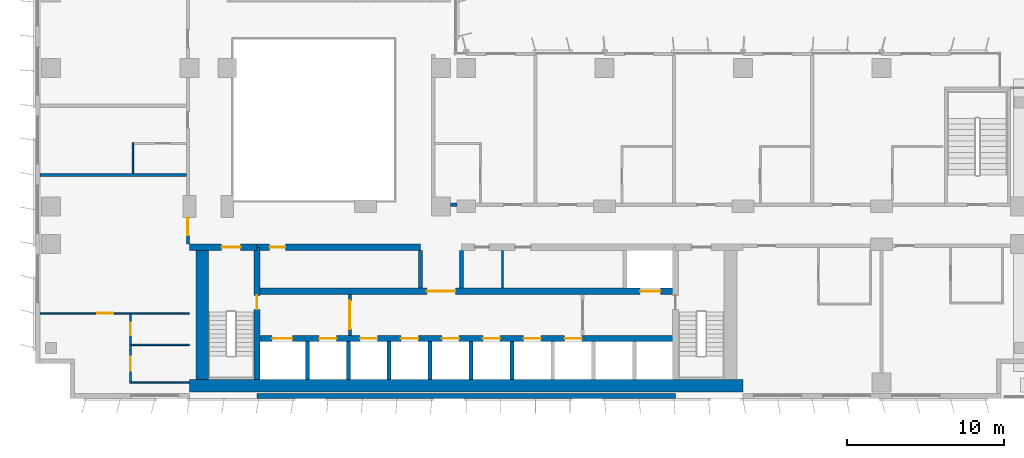
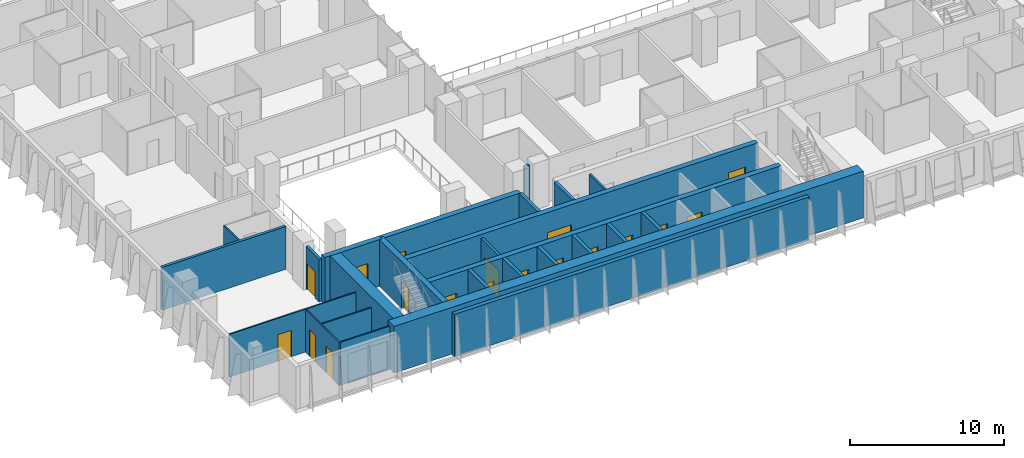
# One storey, part 14 of 27: 26 walls, 18 doors, 18 openings.
"""IFC4 building model written with IfcOpenShell, lengths in metres."""

from ifc_helpers import new_model, si_unit, direction, frame, frame_2d, origin, place, context, subcontext, project, spatial, rectangle, extrude, material, layer, layer_set, type_object, element, fill, save


model = new_model("IFC4")

# Units and contexts
model_context = context("Model", 3, precision=1e-05, world=origin(), true_north=direction((0.0, 1.0)))
body_context = subcontext(model_context, "Body", "Model", "MODEL_VIEW")
ifc_project = project(units=[si_unit("LENGTHUNIT", "METRE"), si_unit("AREAUNIT", "SQUARE_METRE"), si_unit("VOLUMEUNIT", "CUBIC_METRE"), si_unit("PLANEANGLEUNIT", "RADIAN"), si_unit("MASSUNIT", "GRAM", prefix="KILO")], contexts=[model_context])

# Site, building, storey
site_placement = place(None, origin())
site = spatial("IfcSite", under=ifc_project, at=site_placement, CompositionType="ELEMENT")
building_placement = place(site_placement, origin())
building = spatial("IfcBuilding", under=site, at=building_placement, Name="Kemantara Hotel Tower", CompositionType="ELEMENT")
storey_placement = place(building_placement, frame((0.0, 0.0, 83.39990234375)))
storey = spatial("IfcBuildingStorey", under=building, at=storey_placement, Name="L19", CompositionType="ELEMENT", Elevation=83.39990234375)

# Walls
ifc_material_1 = material(Name="Bronze anodised aluminium cladding on insulated steel stud wall", Category="steel")
ifc_layer_1 = layer(ifc_material_1, 0.300048828125)
ifc_layer_set_1 = layer_set([ifc_layer_1], Name="Bronze anodised aluminium cladding on insulated steel stud wall")
wall_type_1 = type_object("IfcWallType", Name="BRONZE METAL-CLAD EXTERNAL WALL 300", PredefinedType="STANDARD", material=ifc_layer_set_1)
wall_1_placement = place(storey_placement, frame((14.10009765625, 0.14990234375, 0.0), z_axis=(0.0, 0.0, 1.0), x_axis=(1.0, 0.0, 0.0)))
element("IfcWall", 1, at=wall_1_placement, inside=storey, type_object=wall_type_1, Name="EXTERNAL WALL L19 T2-R07-2", PredefinedType="STANDARD", context=body_context, shape_type="SweptSolid", body=[
    extrude(rectangle(XDim=26.599853515625, YDim=0.300048828125, at=frame_2d((13.2998046875, 0.0))), origin(), (0.0, 0.0, 1.0), 3.400146484375),
])
ifc_material_2 = material(Name="Concrete fc 70 MPa", Category="concrete")
ifc_layer_2 = layer(ifc_material_2, 0.25)
ifc_layer_set_2 = layer_set([ifc_layer_2], Name="Concrete fc 70 MPa")
wall_type_2 = type_object("IfcWallType", Name="CORE WALL 250 FC70", PredefinedType="SHEAR", material=ifc_layer_set_2)
for number, where, z_axis, x_axis, name in (
    (2, (17.300048828125, 1.199951171875, 0.0), (0.0, 0.0, 1.0), (0.0, 1.0, 0.0), "CORE WALL CW-DS17.3"),
    (3, (19.89990234375, 1.199951171875, 0.0), (0.0, 0.0, 1.0), (0.0, 1.0, 0.0), "CORE WALL CW-DS19.9"),
    (4, (22.5, 1.199951171875, 0.0), (0.0, 0.0, 1.0), (0.0, 1.0, 0.0), "CORE WALL CW-DS22.5"),
    (5, (25.10009765625, 1.199951171875, 0.0), (0.0, 0.0, 1.0), (0.0, 1.0, 0.0), "CORE WALL CW-DS25.1"),
    (6, (27.699951171875, 1.199951171875, 0.0), (0.0, 0.0, 1.0), (0.0, 1.0, 0.0), "CORE WALL CW-DS27.7"),
    (7, (30.300048828125, 1.199951171875, 0.0), (0.0, 0.0, 1.0), (0.0, 1.0, 0.0), "CORE WALL CW-DS30.3"),
):
    element("IfcWall", number, at=place(storey_placement, frame(where, z_axis=z_axis, x_axis=x_axis)), inside=storey, type_object=wall_type_2, Name=name, PredefinedType="SHEAR", context=body_context, shape_type="SweptSolid", body=[
        extrude(rectangle(XDim=2.400146484375, YDim=0.25, at=frame_2d((1.2001953125, 0.0))), origin(), (0.0, 0.0, 1.0), 3.7001953125),
    ])
for number, where, z_axis, x_axis, name in (
    (8, (24.5, 7.0, 0.0), (0.0, 0.0, 1.0), (0.0, 1.0, 0.0), "CORE WALL CW-DN24.5"),
    (9, (27.10009765625, 7.0, 0.0), (0.0, 0.0, 1.0), (0.0, 1.0, 0.0), "CORE WALL CW-DN27.1"),
):
    element("IfcWall", number, at=place(storey_placement, frame(where, z_axis=z_axis, x_axis=x_axis)), inside=storey, type_object=wall_type_2, Name=name, PredefinedType="SHEAR", context=body_context, shape_type="SweptSolid", body=[
        extrude(rectangle(XDim=2.39990234375, YDim=0.25, at=frame_2d((1.199951171875, 0.0))), origin(), (0.0, 0.0, 1.0), 3.7001953125),
    ])

# Wall, opening, door
ifc_layer_3 = layer(ifc_material_2, 0.39990234375)
ifc_layer_set_3 = layer_set([ifc_layer_3], Name="Concrete fc 70 MPa")
wall_type_3 = type_object("IfcWallType", Name="CORE WALL 400 FC70", PredefinedType="SHEAR", material=ifc_layer_set_3)
wall_2_placement = place(storey_placement, frame((9.800048828125, 9.60009765625, 0.0), z_axis=(0.0, 0.0, 1.0), x_axis=(1.0, 0.0, 0.0)))
wall_2 = element("IfcWall", 10, at=wall_2_placement, inside=storey, type_object=wall_type_3, Name="CORE WALL CW-N1", PredefinedType="SHEAR", context=body_context, shape_type="SweptSolid", body=[
    extrude(rectangle(XDim=4.300048828125, YDim=0.39990234375, at=frame_2d((2.14990234375, 0.0))), origin(), (0.0, 0.0, 1.0), 3.7001953125),
])
opening_1_placement = place(wall_2_placement, frame((2.050048828125, 0.0, 0.0)))
opening_1 = element("IfcOpeningElement", 11, at=opening_1_placement, cuts=wall_2, Name="Opening C14-ST1-C", PredefinedType="OPENING", context=body_context, shape_type="SweptSolid", body=[
    extrude(rectangle(XDim=1.199951171875, YDim=2.10009765625, at=frame_2d((0.60009765625, 1.050048828125))), frame((0.0, 0.2099609375, 0.0), z_axis=(0.0, -1.0, 0.0), x_axis=(1.0, 0.0, 0.0)), (0.0, 0.0, 1.0), 0.419921875),
])
ifc_material_3 = material(Name="Steel fire door", Category="steel")
door_type_1 = type_object("IfcDoorType", Name="Fire door FD90 1200 x 2100", OperationType="NOTDEFINED", PredefinedType="DOOR", material=ifc_material_3)
door_1_placement = place(opening_1_placement, frame((1.199951171875, 0.0, 0.0), z_axis=(0.0, 0.0, 1.0), x_axis=(-1.0, 0.0, 0.0)))
door_1 = element("IfcDoor", 12, at=door_1_placement, inside=storey, type_object=door_type_1, Name="Stair ST1 door to corridor", OperationType="SINGLE_SWING_LEFT", OverallHeight=2.10009765625, OverallWidth=1.199951171875, PredefinedType="DOOR", context=body_context, shape_type="SweptSolid", body=[
    extrude(rectangle(XDim=1.199951171875, YDim=2.10009765625, at=frame_2d((0.60009765625, 1.050048828125))), frame((0.0, 0.02490234375, 0.0), z_axis=(0.0, -1.0, 0.0), x_axis=(1.0, 0.0, 0.0)), (0.0, 0.0, 1.0), 0.050048828125),
])
fill(opening_1, door_1)

wall_3_placement = place(storey_placement, frame((14.10009765625, 9.60009765625, 0.0), z_axis=(0.0, 0.0, 1.0), x_axis=(1.0, 0.0, 0.0)))
wall_3 = element("IfcWall", 13, at=wall_3_placement, inside=storey, type_object=wall_type_3, Name="CORE WALL CW-NN1", PredefinedType="SHEAR", context=body_context, shape_type="SweptSolid", body=[
    extrude(rectangle(XDim=10.39990234375, YDim=0.39990234375, at=frame_2d((5.199951171875, 0.0))), origin(), (0.0, 0.0, 1.0), 3.7001953125),
])
opening_2_placement = place(wall_3_placement, frame((0.800048828125, 0.0, 0.0)))
opening_2 = element("IfcOpeningElement", 14, at=opening_2_placement, cuts=wall_3, Name="Opening C14-R-NW1", PredefinedType="OPENING", context=body_context, shape_type="SweptSolid", body=[
    extrude(rectangle(XDim=1.0, YDim=2.10009765625, at=frame_2d((0.5, 1.050048828125))), frame((0.0, 0.2099609375, 0.0), z_axis=(0.0, -1.0, 0.0), x_axis=(1.0, 0.0, 0.0)), (0.0, 0.0, 1.0), 0.419921875),
])
door_type_2 = type_object("IfcDoorType", Name="Fire door FD30S 1000 x 2100", OperationType="NOTDEFINED", PredefinedType="DOOR", material=ifc_material_3)
door_2_placement = place(opening_2_placement, frame((1.0, 0.0, 0.0), z_axis=(0.0, 0.0, 1.0), x_axis=(-1.0, 0.0, 0.0)))
door_2 = element("IfcDoor", 15, at=door_2_placement, inside=storey, type_object=door_type_2, Name="Linen Store door", OperationType="SINGLE_SWING_RIGHT", OverallHeight=2.10009765625, OverallWidth=1.0, PredefinedType="DOOR", context=body_context, shape_type="SweptSolid", body=[
    extrude(rectangle(XDim=1.0, YDim=2.10009765625, at=frame_2d((0.5, 1.050048828125))), frame((0.0, 0.02490234375, 0.0), z_axis=(0.0, -1.0, 0.0), x_axis=(1.0, 0.0, 0.0)), (0.0, 0.0, 1.0), 0.050048828125),
])
fill(opening_2, door_2)

# Wall, openings, doors
wall_4_placement = place(storey_placement, frame((14.10009765625, 3.800048828125, 0.0), z_axis=(0.0, 0.0, 1.0), x_axis=(1.0, 0.0, 0.0)))
wall_4 = element("IfcWall", 16, at=wall_4_placement, inside=storey, type_object=wall_type_3, Name="CORE WALL CW-L1", PredefinedType="SHEAR", context=body_context, shape_type="SweptSolid", body=[
    extrude(rectangle(XDim=26.599853515625, YDim=0.39990234375, at=frame_2d((13.2998046875, 0.0))), origin(), (0.0, 0.0, 1.0), 3.7001953125),
])
opening_3_placement = place(wall_4_placement, frame((0.949951171875, 0.0, 0.0)))
opening_3 = element("IfcOpeningElement", 17, at=opening_3_placement, cuts=wall_4, Name="Opening C14-LD-FF1", PredefinedType="OPENING", context=body_context, shape_type="SweptSolid", body=[
    extrude(rectangle(XDim=1.300048828125, YDim=2.10009765625, at=frame_2d((0.64990234375, 1.050048828125))), frame((0.0, 0.2099609375, 0.0), z_axis=(0.0, -1.0, 0.0), x_axis=(1.0, 0.0, 0.0)), (0.0, 0.0, 1.0), 0.419921875),
])
opening_4_placement = place(wall_4_placement, frame((3.949951171875, 0.0, 0.0)))
opening_4 = element("IfcOpeningElement", 18, at=opening_4_placement, cuts=wall_4, Name="Opening C14-LD-SV1", PredefinedType="OPENING", context=body_context, shape_type="SweptSolid", body=[
    extrude(rectangle(XDim=1.10009765625, YDim=2.10009765625, at=frame_2d((0.550048828125, 1.050048828125))), frame((0.0, 0.2099609375, 0.0), z_axis=(0.0, -1.0, 0.0), x_axis=(1.0, 0.0, 0.0)), (0.0, 0.0, 1.0), 0.419921875),
])
opening_5_placement = place(wall_4_placement, frame((6.550048828125, 0.0, 0.0)))
opening_5 = element("IfcOpeningElement", 19, at=opening_5_placement, cuts=wall_4, Name="Opening C14-LD-SV2", PredefinedType="OPENING", context=body_context, shape_type="SweptSolid", body=[
    extrude(rectangle(XDim=1.10009765625, YDim=2.10009765625, at=frame_2d((0.550048828125, 1.050048828125))), frame((0.0, 0.2099609375, 0.0), z_axis=(0.0, -1.0, 0.0), x_axis=(1.0, 0.0, 0.0)), (0.0, 0.0, 1.0), 0.419921875),
])
opening_6_placement = place(wall_4_placement, frame((9.14990234375, 0.0, 0.0)))
opening_6 = element("IfcOpeningElement", 20, at=opening_6_placement, cuts=wall_4, Name="Opening C14-LD-SV3", PredefinedType="OPENING", context=body_context, shape_type="SweptSolid", body=[
    extrude(rectangle(XDim=1.10009765625, YDim=2.10009765625, at=frame_2d((0.550048828125, 1.050048828125))), frame((0.0, 0.2099609375, 0.0), z_axis=(0.0, -1.0, 0.0), x_axis=(1.0, 0.0, 0.0)), (0.0, 0.0, 1.0), 0.419921875),
])
opening_7_placement = place(wall_4_placement, frame((11.75, 0.0, 0.0)))
opening_7 = element("IfcOpeningElement", 21, at=opening_7_placement, cuts=wall_4, Name="Opening C14-LD-LR1", PredefinedType="OPENING", context=body_context, shape_type="SweptSolid", body=[
    extrude(rectangle(XDim=1.10009765625, YDim=2.10009765625, at=frame_2d((0.550048828125, 1.050048828125))), frame((0.0, 0.2099609375, 0.0), z_axis=(0.0, -1.0, 0.0), x_axis=(1.0, 0.0, 0.0)), (0.0, 0.0, 1.0), 0.419921875),
])
opening_8_placement = place(wall_4_placement, frame((14.35009765625, 0.0, 0.0)))
opening_8 = element("IfcOpeningElement", 22, at=opening_8_placement, cuts=wall_4, Name="Opening C14-LD-LR2", PredefinedType="OPENING", context=body_context, shape_type="SweptSolid", body=[
    extrude(rectangle(XDim=1.10009765625, YDim=2.10009765625, at=frame_2d((0.550048828125, 1.050048828125))), frame((0.0, 0.2099609375, 0.0), z_axis=(0.0, -1.0, 0.0), x_axis=(1.0, 0.0, 0.0)), (0.0, 0.0, 1.0), 0.419921875),
])
opening_9_placement = place(wall_4_placement, frame((16.949951171875, 0.0, 0.0)))
opening_9 = element("IfcOpeningElement", 23, at=opening_9_placement, cuts=wall_4, Name="Opening C14-LD-LR3", PredefinedType="OPENING", context=body_context, shape_type="SweptSolid", body=[
    extrude(rectangle(XDim=1.10009765625, YDim=2.10009765625, at=frame_2d((0.550048828125, 1.050048828125))), frame((0.0, 0.2099609375, 0.0), z_axis=(0.0, -1.0, 0.0), x_axis=(1.0, 0.0, 0.0)), (0.0, 0.0, 1.0), 0.419921875),
])
opening_10_placement = place(wall_4_placement, frame((19.550048828125, 0.0, 0.0)))
opening_10 = element("IfcOpeningElement", 24, at=opening_10_placement, cuts=wall_4, Name="Opening C14-LD-LR4", PredefinedType="OPENING", context=body_context, shape_type="SweptSolid", body=[
    extrude(rectangle(XDim=1.10009765625, YDim=2.10009765625, at=frame_2d((0.550048828125, 1.050048828125))), frame((0.0, 0.2099609375, 0.0), z_axis=(0.0, -1.0, 0.0), x_axis=(1.0, 0.0, 0.0)), (0.0, 0.0, 1.0), 0.419921875),
])
ifc_material_4 = material(Name="Stainless steel lift door", Category="steel")
door_type_3 = type_object("IfcDoorType", Name="Lift landing door 1100 x 2100 FD60", OperationType="DOUBLE_DOOR_SLIDING", PredefinedType="DOOR", material=ifc_material_4)
door_3_placement = place(opening_4_placement, origin())
door_3 = element("IfcDoor", 25, at=door_3_placement, inside=storey, type_object=door_type_3, Name="Lift SV1 landing door", OperationType="DOUBLE_DOOR_SLIDING", OverallHeight=2.10009765625, OverallWidth=1.10009765625, PredefinedType="DOOR", context=body_context, shape_type="SweptSolid", body=[
    extrude(rectangle(XDim=1.10009765625, YDim=2.10009765625, at=frame_2d((0.550048828125, 1.050048828125))), frame((0.0, 0.02490234375, 0.0), z_axis=(0.0, -1.0, 0.0), x_axis=(1.0, 0.0, 0.0)), (0.0, 0.0, 1.0), 0.050048828125),
])
fill(opening_4, door_3)
door_4_placement = place(opening_5_placement, origin())
door_4 = element("IfcDoor", 26, at=door_4_placement, inside=storey, type_object=door_type_3, Name="Lift SV2 landing door", OperationType="DOUBLE_DOOR_SLIDING", OverallHeight=2.10009765625, OverallWidth=1.10009765625, PredefinedType="DOOR", context=body_context, shape_type="SweptSolid", body=[
    extrude(rectangle(XDim=1.10009765625, YDim=2.10009765625, at=frame_2d((0.550048828125, 1.050048828125))), frame((0.0, 0.02490234375, 0.0), z_axis=(0.0, -1.0, 0.0), x_axis=(1.0, 0.0, 0.0)), (0.0, 0.0, 1.0), 0.050048828125),
])
fill(opening_5, door_4)
door_5_placement = place(opening_6_placement, origin())
door_5 = element("IfcDoor", 27, at=door_5_placement, inside=storey, type_object=door_type_3, Name="Lift SV3 landing door", OperationType="DOUBLE_DOOR_SLIDING", OverallHeight=2.10009765625, OverallWidth=1.10009765625, PredefinedType="DOOR", context=body_context, shape_type="SweptSolid", body=[
    extrude(rectangle(XDim=1.10009765625, YDim=2.10009765625, at=frame_2d((0.550048828125, 1.050048828125))), frame((0.0, 0.02490234375, 0.0), z_axis=(0.0, -1.0, 0.0), x_axis=(1.0, 0.0, 0.0)), (0.0, 0.0, 1.0), 0.050048828125),
])
fill(opening_6, door_5)
door_6_placement = place(opening_7_placement, origin())
door_6 = element("IfcDoor", 28, at=door_6_placement, inside=storey, type_object=door_type_3, Name="Lift LR1 landing door", OperationType="DOUBLE_DOOR_SLIDING", OverallHeight=2.10009765625, OverallWidth=1.10009765625, PredefinedType="DOOR", context=body_context, shape_type="SweptSolid", body=[
    extrude(rectangle(XDim=1.10009765625, YDim=2.10009765625, at=frame_2d((0.550048828125, 1.050048828125))), frame((0.0, 0.02490234375, 0.0), z_axis=(0.0, -1.0, 0.0), x_axis=(1.0, 0.0, 0.0)), (0.0, 0.0, 1.0), 0.050048828125),
])
fill(opening_7, door_6)
door_7_placement = place(opening_8_placement, origin())
door_7 = element("IfcDoor", 29, at=door_7_placement, inside=storey, type_object=door_type_3, Name="Lift LR2 landing door", OperationType="DOUBLE_DOOR_SLIDING", OverallHeight=2.10009765625, OverallWidth=1.10009765625, PredefinedType="DOOR", context=body_context, shape_type="SweptSolid", body=[
    extrude(rectangle(XDim=1.10009765625, YDim=2.10009765625, at=frame_2d((0.550048828125, 1.050048828125))), frame((0.0, 0.02490234375, 0.0), z_axis=(0.0, -1.0, 0.0), x_axis=(1.0, 0.0, 0.0)), (0.0, 0.0, 1.0), 0.050048828125),
])
fill(opening_8, door_7)
door_8_placement = place(opening_9_placement, origin())
door_8 = element("IfcDoor", 30, at=door_8_placement, inside=storey, type_object=door_type_3, Name="Lift LR3 landing door", OperationType="DOUBLE_DOOR_SLIDING", OverallHeight=2.10009765625, OverallWidth=1.10009765625, PredefinedType="DOOR", context=body_context, shape_type="SweptSolid", body=[
    extrude(rectangle(XDim=1.10009765625, YDim=2.10009765625, at=frame_2d((0.550048828125, 1.050048828125))), frame((0.0, 0.02490234375, 0.0), z_axis=(0.0, -1.0, 0.0), x_axis=(1.0, 0.0, 0.0)), (0.0, 0.0, 1.0), 0.050048828125),
])
fill(opening_9, door_8)
door_9_placement = place(opening_10_placement, origin())
door_9 = element("IfcDoor", 31, at=door_9_placement, inside=storey, type_object=door_type_3, Name="Lift LR4 landing door", OperationType="DOUBLE_DOOR_SLIDING", OverallHeight=2.10009765625, OverallWidth=1.10009765625, PredefinedType="DOOR", context=body_context, shape_type="SweptSolid", body=[
    extrude(rectangle(XDim=1.10009765625, YDim=2.10009765625, at=frame_2d((0.550048828125, 1.050048828125))), frame((0.0, 0.02490234375, 0.0), z_axis=(0.0, -1.0, 0.0), x_axis=(1.0, 0.0, 0.0)), (0.0, 0.0, 1.0), 0.050048828125),
])
fill(opening_10, door_9)
door_type_4 = type_object("IfcDoorType", Name="Lift landing door 1300 x 2100 FD90", OperationType="DOUBLE_DOOR_SLIDING", PredefinedType="DOOR", material=ifc_material_4)
door_10_placement = place(opening_3_placement, origin())
door_10 = element("IfcDoor", 32, at=door_10_placement, inside=storey, type_object=door_type_4, Name="Lift FF1 landing door", OperationType="DOUBLE_DOOR_SLIDING", OverallHeight=2.10009765625, OverallWidth=1.300048828125, PredefinedType="DOOR", context=body_context, shape_type="SweptSolid", body=[
    extrude(rectangle(XDim=1.300048828125, YDim=2.10009765625, at=frame_2d((0.64990234375, 1.050048828125))), frame((0.0, 0.02490234375, 0.0), z_axis=(0.0, -1.0, 0.0), x_axis=(1.0, 0.0, 0.0)), (0.0, 0.0, 1.0), 0.050048828125),
])
fill(opening_3, door_10)

wall_5_placement = place(storey_placement, frame((14.10009765625, 6.800048828125, 0.0), z_axis=(0.0, 0.0, 1.0), x_axis=(1.0, 0.0, 0.0)))
wall_5 = element("IfcWall", 33, at=wall_5_placement, inside=storey, type_object=wall_type_3, Name="CORE WALL CW-L2", PredefinedType="SHEAR", context=body_context, shape_type="SweptSolid", body=[
    extrude(rectangle(XDim=26.599853515625, YDim=0.39990234375, at=frame_2d((13.2998046875, 0.0))), origin(), (0.0, 0.0, 1.0), 3.7001953125),
])
opening_11_placement = place(wall_5_placement, frame((10.800048828125, 0.0, 0.0)))
opening_11 = element("IfcOpeningElement", 34, at=opening_11_placement, cuts=wall_5, Name="Opening C14-VL", PredefinedType="OPENING", context=body_context, shape_type="SweptSolid", body=[
    extrude(rectangle(XDim=1.800048828125, YDim=2.10009765625, at=frame_2d((0.89990234375, 1.050048828125))), frame((0.0, 0.2099609375, 0.0), z_axis=(0.0, -1.0, 0.0), x_axis=(1.0, 0.0, 0.0)), (0.0, 0.0, 1.0), 0.419921875),
])
opening_12_placement = place(wall_5_placement, frame((24.35009765625, 0.0, 0.0)))
opening_12 = element("IfcOpeningElement", 35, at=opening_12_placement, cuts=wall_5, Name="Opening C14-LD-FF2", PredefinedType="OPENING", context=body_context, shape_type="SweptSolid", body=[
    extrude(rectangle(XDim=1.300048828125, YDim=2.10009765625, at=frame_2d((0.64990234375, 1.050048828125))), frame((0.0, 0.2099609375, 0.0), z_axis=(0.0, -1.0, 0.0), x_axis=(1.0, 0.0, 0.0)), (0.0, 0.0, 1.0), 0.419921875),
])
door_type_5 = type_object("IfcDoorType", Name="Fire door pair FD60 1800 x 2100", OperationType="DOUBLE_DOOR_SINGLE_SWING", PredefinedType="DOOR", material=ifc_material_3)
door_11_placement = place(opening_11_placement, frame((1.800048828125, 0.0, 0.0), z_axis=(0.0, 0.0, 1.0), x_axis=(-1.0, 0.0, 0.0)))
door_11 = element("IfcDoor", 36, at=door_11_placement, inside=storey, type_object=door_type_5, Name="Lift lobby entry door", OperationType="DOUBLE_DOOR_SINGLE_SWING", OverallHeight=2.10009765625, OverallWidth=1.800048828125, PredefinedType="DOOR", context=body_context, shape_type="SweptSolid", body=[
    extrude(rectangle(XDim=1.800048828125, YDim=2.10009765625, at=frame_2d((0.89990234375, 1.050048828125))), frame((0.0, 0.02490234375, 0.0), z_axis=(0.0, -1.0, 0.0), x_axis=(1.0, 0.0, 0.0)), (0.0, 0.0, 1.0), 0.050048828125),
])
fill(opening_11, door_11)
door_12_placement = place(opening_12_placement, origin())
door_12 = element("IfcDoor", 37, at=door_12_placement, inside=storey, type_object=door_type_4, Name="Lift FF2 landing door", OperationType="DOUBLE_DOOR_SLIDING", OverallHeight=2.10009765625, OverallWidth=1.300048828125, PredefinedType="DOOR", context=body_context, shape_type="SweptSolid", body=[
    extrude(rectangle(XDim=1.300048828125, YDim=2.10009765625, at=frame_2d((0.64990234375, 1.050048828125))), frame((0.0, 0.02490234375, 0.0), z_axis=(0.0, -1.0, 0.0), x_axis=(1.0, 0.0, 0.0)), (0.0, 0.0, 1.0), 0.050048828125),
])
fill(opening_12, door_12)

# Wall, opening, door
wall_6_placement = place(storey_placement, frame((14.10009765625, 1.199951171875, 0.0), z_axis=(0.0, 0.0, 1.0), x_axis=(0.0, 1.0, 0.0)))
wall_6 = element("IfcWall", 38, at=wall_6_placement, inside=storey, type_object=wall_type_3, Name="CORE WALL CW-ST1E", PredefinedType="SHEAR", context=body_context, shape_type="SweptSolid", body=[
    extrude(rectangle(XDim=8.400146484375, YDim=0.39990234375, at=frame_2d((4.2001953125, 0.0))), origin(), (0.0, 0.0, 1.0), 3.7001953125),
])
opening_13_placement = place(wall_6_placement, frame((4.449951171875, 0.0, 0.0)))
opening_13 = element("IfcOpeningElement", 39, at=opening_13_placement, cuts=wall_6, Name="Opening C14-ST1-F", PredefinedType="OPENING", context=body_context, shape_type="SweptSolid", body=[
    extrude(rectangle(XDim=0.89990234375, YDim=2.10009765625, at=frame_2d((0.449951171875, 1.050048828125))), frame((0.0, 0.2099609375, 0.0), z_axis=(0.0, -1.0, 0.0), x_axis=(1.0, 0.0, 0.0)), (0.0, 0.0, 1.0), 0.419921875),
])
door_type_6 = type_object("IfcDoorType", Name="Fire door FD90 900 x 2100", OperationType="NOTDEFINED", PredefinedType="DOOR", material=ifc_material_3)
door_13_placement = place(opening_13_placement, origin())
door_13 = element("IfcDoor", 40, at=door_13_placement, inside=storey, type_object=door_type_6, Name="Stair ST1 door to firefighting lobby", OperationType="SINGLE_SWING_RIGHT", OverallHeight=2.10009765625, OverallWidth=0.89990234375, PredefinedType="DOOR", context=body_context, shape_type="SweptSolid", body=[
    extrude(rectangle(XDim=0.89990234375, YDim=2.10009765625, at=frame_2d((0.449951171875, 1.050048828125))), frame((0.0, 0.02490234375, 0.0), z_axis=(0.0, -1.0, 0.0), x_axis=(1.0, 0.0, 0.0)), (0.0, 0.0, 1.0), 0.050048828125),
])
fill(opening_13, door_13)

# Walls
ifc_layer_4 = layer(ifc_material_2, 0.800048828125)
ifc_layer_set_4 = layer_set([ifc_layer_4], Name="Concrete fc 70 MPa")
wall_type_4 = type_object("IfcWallType", Name="CORE WALL 800 FC70", PredefinedType="SHEAR", material=ifc_layer_set_4)
wall_7_placement = place(storey_placement, frame((9.800048828125, 0.800048828125, 0.0), z_axis=(0.0, 0.0, 1.0), x_axis=(1.0, 0.0, 0.0)))
element("IfcWall", 41, at=wall_7_placement, inside=storey, type_object=wall_type_4, Name="CORE WALL CW-S", PredefinedType="SHEAR", context=body_context, shape_type="SweptSolid", body=[
    extrude(rectangle(XDim=35.199951171875, YDim=0.800048828125, at=frame_2d((17.60009765625, 0.0))), origin(), (0.0, 0.0, 1.0), 3.7001953125),
])
wall_8_placement = place(storey_placement, frame((10.60009765625, 1.199951171875, 0.0), z_axis=(0.0, 0.0, 1.0), x_axis=(0.0, 1.0, 0.0)))
element("IfcWall", 42, at=wall_8_placement, inside=storey, type_object=wall_type_4, Name="CORE WALL CW-W", PredefinedType="SHEAR", context=body_context, shape_type="SweptSolid", body=[
    extrude(rectangle(XDim=8.60009765625, YDim=0.800048828125, at=frame_2d((4.300048828125, 0.0))), origin(), (0.0, 0.0, 1.0), 3.7001953125),
])
ifc_material_5 = material(Name="Gypsum board partition, steel studs and mineral wool, 200 mm", Category="steel")
ifc_layer_5 = layer(ifc_material_5, 0.199951171875)
ifc_layer_set_5 = layer_set([ifc_layer_5], Name="Gypsum board partition, steel studs and mineral wool, 200 mm")
wall_type_5 = type_object("IfcWallType", Name="CORRIDOR WALL 200", PredefinedType="PARTITIONING", material=ifc_layer_set_5)
wall_9_placement = place(storey_placement, frame((26.400146484375, 12.300048828125, 0.0), z_axis=(0.0, 0.0, 1.0), x_axis=(1.0, 0.0, 0.0)))
element("IfcWall", 43, at=wall_9_placement, inside=storey, type_object=wall_type_5, Name="CORRIDOR WALL 200 004", PredefinedType="PARTITIONING", context=body_context, shape_type="SweptSolid", body=[
    extrude(rectangle(XDim=0.399658203125, YDim=0.199951171875, at=frame_2d((0.19970703125, 0.0))), origin(), (0.0, 0.0, 1.0), 3.400146484375),
])

# Wall, opening, door
wall_10_placement = place(storey_placement, frame((9.699951171875, 9.800048828125, 0.0), z_axis=(0.0, 0.0, 1.0), x_axis=(0.0, 1.0, 0.0)))
wall_10 = element("IfcWall", 44, at=wall_10_placement, inside=storey, type_object=wall_type_5, Name="CORRIDOR WALL 200 014", PredefinedType="PARTITIONING", context=body_context, shape_type="SweptSolid", body=[
    extrude(rectangle(XDim=1.699951171875, YDim=0.199951171875, at=frame_2d((0.85009765625, 0.0))), origin(), (0.0, 0.0, 1.0), 3.400146484375),
])
opening_14_placement = place(wall_10_placement, frame((0.550048828125, 0.0, 0.0)))
opening_14 = element("IfcOpeningElement", 45, at=opening_14_placement, cuts=wall_10, Name="Opening F07-013", PredefinedType="OPENING", context=body_context, shape_type="SweptSolid", body=[
    extrude(rectangle(XDim=1.10009765625, YDim=2.10009765625, at=frame_2d((0.550048828125, 1.050048828125))), frame((0.0, 0.10986328125, 0.0), z_axis=(0.0, -1.0, 0.0), x_axis=(1.0, 0.0, 0.0)), (0.0, 0.0, 1.0), 0.219970703125),
])
ifc_material_6 = material(Name="Hardwood veneer door leaf with steel frame", Category="steel")
door_type_7 = type_object("IfcDoorType", Name="SUITE ENTRANCE DOOR 1100 X 2100 FD30S", OperationType="NOTDEFINED", PredefinedType="DOOR", material=ifc_material_6)
door_14_placement = place(opening_14_placement, origin())
door_14 = element("IfcDoor", 46, at=door_14_placement, inside=storey, type_object=door_type_7, Name="SUITE ENTRANCE DOOR F07-013", OperationType="SINGLE_SWING_RIGHT", OverallHeight=2.10009765625, OverallWidth=1.10009765625, PredefinedType="DOOR", context=body_context, shape_type="SweptSolid", body=[
    extrude(rectangle(XDim=1.10009765625, YDim=2.10009765625, at=frame_2d((0.550048828125, 1.050048828125))), frame((0.0, 0.02490234375, 0.0), z_axis=(0.0, -1.0, 0.0), x_axis=(1.0, 0.0, 0.0)), (0.0, 0.0, 1.0), 0.050048828125),
])
fill(opening_14, door_14)

# Walls
ifc_layer_6 = layer(ifc_material_5, 0.199951171875)
ifc_layer_set_6 = layer_set([ifc_layer_6], Name="Gypsum board partition, steel studs and mineral wool, 200 mm")
wall_type_6 = type_object("IfcWallType", Name="GUEST ROOM PARTY WALL 200", PredefinedType="PARTITIONING", material=ifc_layer_set_6)
wall_11_placement = place(storey_placement, frame((0.31005859375, 14.199951171875, 0.0), z_axis=(0.0, 0.0, 1.0), x_axis=(1.0, 0.0, 0.0)))
element("IfcWall", 47, at=wall_11_placement, inside=storey, type_object=wall_type_6, Name="GUEST ROOM PARTY WALL 200 023", PredefinedType="PARTITIONING", context=body_context, shape_type="SweptSolid", body=[
    extrude(rectangle(XDim=9.2900390625, YDim=0.199951171875, at=frame_2d((4.64501953125, 0.0))), origin(), (0.0, 0.0, 1.0), 3.400146484375),
])
ifc_material_7 = material(Name="Gypsum board partition")
ifc_layer_7 = layer(ifc_material_7, 0.14990234375)
ifc_layer_set_7 = layer_set([ifc_layer_7], Name="Gypsum board partition")
wall_type_7 = type_object("IfcWallType", Name="Gypsum board partition 150 mm", PredefinedType="PARTITIONING", material=ifc_layer_set_7)
wall_12_placement = place(storey_placement, frame((29.699951171875, 7.0, 0.0), z_axis=(0.0, 0.0, 1.0), x_axis=(0.0, 1.0, 0.0)))
element("IfcWall", 48, at=wall_12_placement, inside=storey, type_object=wall_type_7, Name="Core room partition", PredefinedType="PARTITIONING", context=body_context, shape_type="SweptSolid", body=[
    extrude(rectangle(XDim=2.39990234375, YDim=0.14990234375, at=frame_2d((1.199951171875, 0.0))), origin(), (0.0, 0.0, 1.0), 3.400146484375),
])

# Wall, opening, door
ifc_material_8 = material(Name="Gypsum board shaft wall")
ifc_layer_8 = layer(ifc_material_8, 0.199951171875)
ifc_layer_set_8 = layer_set([ifc_layer_8], Name="Gypsum board shaft wall")
wall_type_8 = type_object("IfcWallType", Name="Gypsum board shaft wall 200 mm", PredefinedType="PARTITIONING", material=ifc_layer_set_8)
wall_13_placement = place(storey_placement, frame((20.0, 4.0, 0.0), z_axis=(0.0, 0.0, 1.0), x_axis=(0.0, 1.0, 0.0)))
wall_13 = element("IfcWall", 49, at=wall_13_placement, inside=storey, type_object=wall_type_8, Name="Firefighting lobby partition west", PredefinedType="PARTITIONING", context=body_context, shape_type="SweptSolid", body=[
    extrude(rectangle(XDim=2.60009765625, YDim=0.199951171875, at=frame_2d((1.300048828125, 0.0))), origin(), (0.0, 0.0, 1.0), 3.400146484375),
])
opening_15_placement = place(wall_13_placement, frame((0.39990234375, 0.0, 0.0)))
opening_15 = element("IfcOpeningElement", 50, at=opening_15_placement, cuts=wall_13, Name="Opening C14-FFW", PredefinedType="OPENING", context=body_context, shape_type="SweptSolid", body=[
    extrude(rectangle(XDim=1.800048828125, YDim=2.10009765625, at=frame_2d((0.89990234375, 1.050048828125))), frame((0.0, 0.10986328125, 0.0), z_axis=(0.0, -1.0, 0.0), x_axis=(1.0, 0.0, 0.0)), (0.0, 0.0, 1.0), 0.219970703125),
])
door_15_placement = place(opening_15_placement, origin())
door_15 = element("IfcDoor", 51, at=door_15_placement, inside=storey, type_object=door_type_5, Name="Firefighting lobby door west", OperationType="DOUBLE_DOOR_SINGLE_SWING", OverallHeight=2.10009765625, OverallWidth=1.800048828125, PredefinedType="DOOR", context=body_context, shape_type="SweptSolid", body=[
    extrude(rectangle(XDim=1.800048828125, YDim=2.10009765625, at=frame_2d((0.89990234375, 1.050048828125))), frame((0.0, 0.02490234375, 0.0), z_axis=(0.0, -1.0, 0.0), x_axis=(1.0, 0.0, 0.0)), (0.0, 0.0, 1.0), 0.050048828125),
])
fill(opening_15, door_15)

# Wall, openings, doors
ifc_material_9 = material(Name="Gypsum board partition on steel studs, 100 mm", Category="steel")
ifc_layer_9 = layer(ifc_material_9, 0.10009765625)
ifc_layer_set_9 = layer_set([ifc_layer_9], Name="Gypsum board partition on steel studs, 100 mm")
wall_type_9 = type_object("IfcWallType", Name="ROOM PARTITION 100", PredefinedType="PARTITIONING", material=ifc_layer_set_9)
wall_14_placement = place(storey_placement, frame((6.050048828125, 5.35009765625, 0.0), z_axis=(0.0, 0.0, 1.0), x_axis=(0.0, -1.0, 0.0)))
wall_14 = element("IfcWall", 52, at=wall_14_placement, inside=storey, type_object=wall_type_9, Name="ROOM PARTITION 100 060", PredefinedType="PARTITIONING", context=body_context, shape_type="SweptSolid", body=[
    extrude(rectangle(XDim=4.400146484375, YDim=0.10009765625, at=frame_2d((2.2001953125, 0.0))), origin(), (0.0, 0.0, 1.0), 3.400146484375),
])
opening_16_placement = place(wall_14_placement, frame((2.699951171875, 0.0, 0.0)))
opening_16 = element("IfcOpeningElement", 53, at=opening_16_placement, cuts=wall_14, Name="Opening F07-015", PredefinedType="OPENING", context=body_context, shape_type="SweptSolid", body=[
    extrude(rectangle(XDim=0.89990234375, YDim=2.10009765625, at=frame_2d((0.449951171875, 1.050048828125))), frame((0.0, 0.06005859375, 0.0), z_axis=(0.0, -1.0, 0.0), x_axis=(1.0, 0.0, 0.0)), (0.0, 0.0, 1.0), 0.1201171875),
])
opening_17_placement = place(wall_14_placement, frame((0.550048828125, 0.0, 0.0)))
opening_17 = element("IfcOpeningElement", 54, at=opening_17_placement, cuts=wall_14, Name="Opening F07-016", PredefinedType="OPENING", context=body_context, shape_type="SweptSolid", body=[
    extrude(rectangle(XDim=0.800048828125, YDim=2.10009765625, at=frame_2d((0.39990234375, 1.050048828125))), frame((0.0, 0.06005859375, 0.0), z_axis=(0.0, -1.0, 0.0), x_axis=(1.0, 0.0, 0.0)), (0.0, 0.0, 1.0), 0.1201171875),
])
door_type_8 = type_object("IfcDoorType", Name="BATHROOM DOOR 900 X 2100", OperationType="NOTDEFINED", PredefinedType="DOOR", material=ifc_material_6)
door_16_placement = place(opening_16_placement, origin())
door_16 = element("IfcDoor", 55, at=door_16_placement, inside=storey, type_object=door_type_8, Name="BATHROOM DOOR F07-015", OperationType="SINGLE_SWING_LEFT", OverallHeight=2.10009765625, OverallWidth=0.89990234375, PredefinedType="DOOR", context=body_context, shape_type="SweptSolid", body=[
    extrude(rectangle(XDim=0.89990234375, YDim=2.10009765625, at=frame_2d((0.449951171875, 1.050048828125))), frame((0.0, 0.02490234375, 0.0), z_axis=(0.0, -1.0, 0.0), x_axis=(1.0, 0.0, 0.0)), (0.0, 0.0, 1.0), 0.050048828125),
])
fill(opening_16, door_16)
door_type_9 = type_object("IfcDoorType", Name="WARDROBE DOOR 800 X 2100", OperationType="NOTDEFINED", PredefinedType="DOOR", material=ifc_material_6)
door_17_placement = place(opening_17_placement, origin())
door_17 = element("IfcDoor", 56, at=door_17_placement, inside=storey, type_object=door_type_9, Name="WARDROBE DOOR F07-016", OperationType="SINGLE_SWING_LEFT", OverallHeight=2.10009765625, OverallWidth=0.800048828125, PredefinedType="DOOR", context=body_context, shape_type="SweptSolid", body=[
    extrude(rectangle(XDim=0.800048828125, YDim=2.10009765625, at=frame_2d((0.39990234375, 1.050048828125))), frame((0.0, 0.02490234375, 0.0), z_axis=(0.0, -1.0, 0.0), x_axis=(1.0, 0.0, 0.0)), (0.0, 0.0, 1.0), 0.050048828125),
])
fill(opening_17, door_17)

# Wall, opening, door
wall_15_placement = place(storey_placement, frame((9.7998046875, 5.39990234375, 0.0), z_axis=(0.0, 0.0, 1.0), x_axis=(-1.0, 0.0, 0.0)))
wall_15 = element("IfcWall", 57, at=wall_15_placement, inside=storey, type_object=wall_type_9, Name="ROOM PARTITION 100 062", PredefinedType="PARTITIONING", context=body_context, shape_type="SweptSolid", body=[
    extrude(rectangle(XDim=9.48974609375, YDim=0.10009765625, at=frame_2d((4.744873046875, 0.0))), origin(), (0.0, 0.0, 1.0), 3.400146484375),
])
opening_18_placement = place(wall_15_placement, frame((4.849853515625, 0.0, 0.0)))
opening_18 = element("IfcOpeningElement", 58, at=opening_18_placement, cuts=wall_15, Name="Opening F07-014", PredefinedType="OPENING", context=body_context, shape_type="SweptSolid", body=[
    extrude(rectangle(XDim=1.0, YDim=2.10009765625, at=frame_2d((0.5, 1.050048828125))), frame((0.0, 0.06005859375, 0.0), z_axis=(0.0, -1.0, 0.0), x_axis=(1.0, 0.0, 0.0)), (0.0, 0.0, 1.0), 0.1201171875),
])
door_type_10 = type_object("IfcDoorType", Name="INTERNAL DOOR 1000 X 2100", OperationType="NOTDEFINED", PredefinedType="DOOR", material=ifc_material_6)
door_18_placement = place(opening_18_placement, origin())
door_18 = element("IfcDoor", 59, at=door_18_placement, inside=storey, type_object=door_type_10, Name="INTERNAL DOOR F07-014", OperationType="SINGLE_SWING_LEFT", OverallHeight=2.10009765625, OverallWidth=1.0, PredefinedType="DOOR", context=body_context, shape_type="SweptSolid", body=[
    extrude(rectangle(XDim=1.0, YDim=2.10009765625, at=frame_2d((0.5, 1.050048828125))), frame((0.0, 0.02490234375, 0.0), z_axis=(0.0, -1.0, 0.0), x_axis=(1.0, 0.0, 0.0)), (0.0, 0.0, 1.0), 0.050048828125),
])
fill(opening_18, door_18)

# Walls
for number, where, z_axis, x_axis, name in (
    (60, (6.10009765625, 1.0, 0.0), (0.0, 0.0, 1.0), (1.0, 0.0, 0.0), "ROOM PARTITION 100 063"),
    (61, (6.10009765625, 3.39990234375, 0.0), (0.0, 0.0, 1.0), (1.0, 0.0, 0.0), "ROOM PARTITION 100 064"),
):
    element("IfcWall", number, at=place(storey_placement, frame(where, z_axis=z_axis, x_axis=x_axis)), inside=storey, type_object=wall_type_9, Name=name, PredefinedType="PARTITIONING", context=body_context, shape_type="SweptSolid", body=[
        extrude(rectangle(XDim=3.69970703125, YDim=0.10009765625, at=frame_2d((1.849853515625, 0.0))), origin(), (0.0, 0.0, 1.0), 3.400146484375),
    ])
wall_16_placement = place(storey_placement, frame((6.199951171875, 14.300048828125, 0.0), z_axis=(0.0, 0.0, 1.0), x_axis=(0.0, 1.0, 0.0)))
element("IfcWall", 62, at=wall_16_placement, inside=storey, type_object=wall_type_9, Name="ROOM PARTITION 100 065", PredefinedType="PARTITIONING", context=body_context, shape_type="SweptSolid", body=[
    extrude(rectangle(XDim=1.949951171875, YDim=0.10009765625, at=frame_2d((0.97509765625, 0.0))), origin(), (0.0, 0.0, 1.0), 3.400146484375),
])

save(model, "model.ifc")
